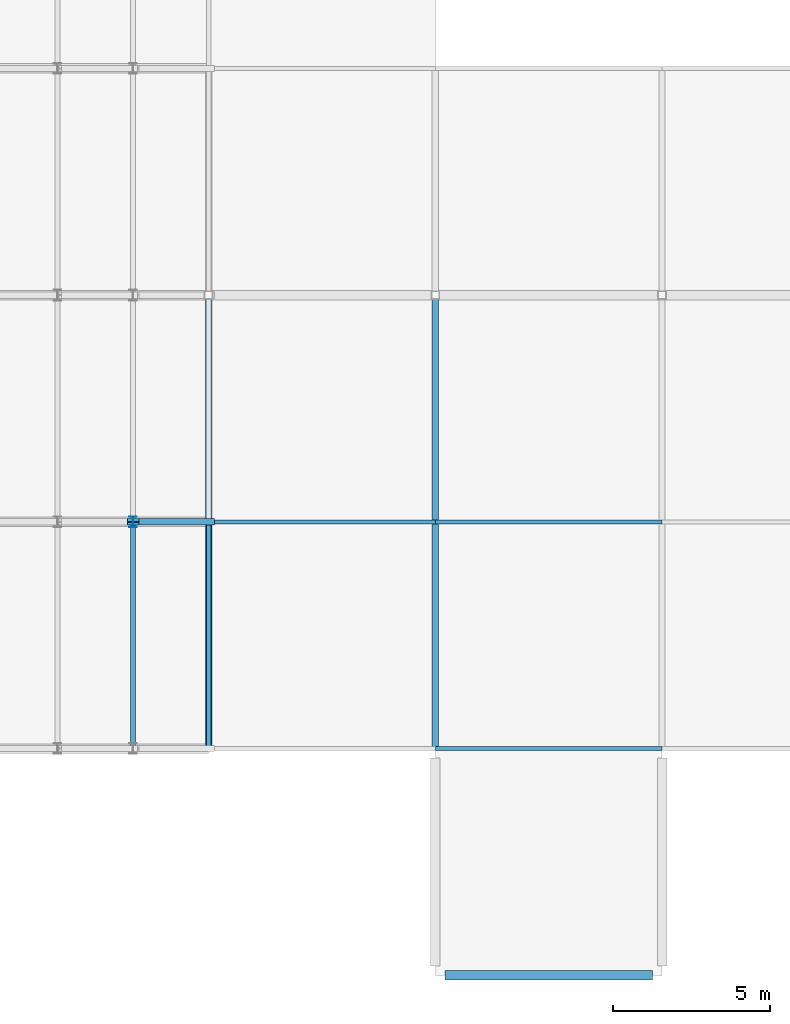
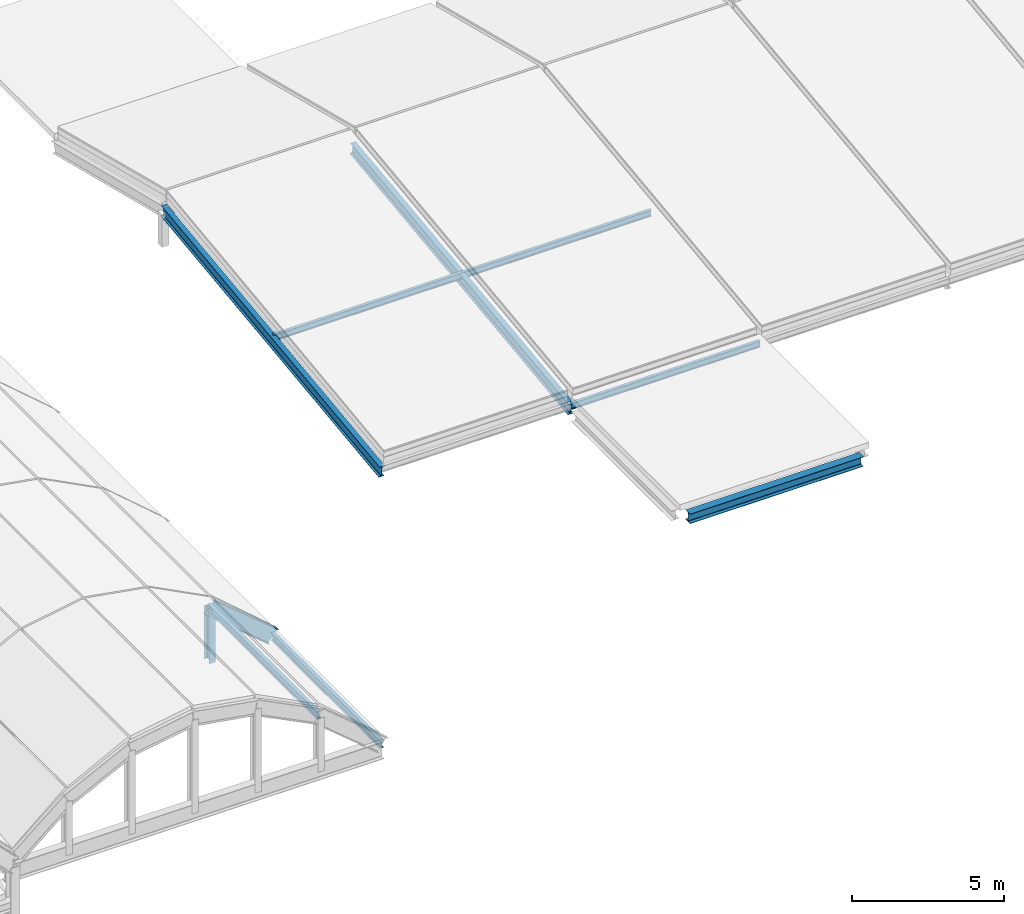
# One storey, part 15 of 60: 9 members, 1 beam.
"""IFC4 building model written with IfcOpenShell, lengths in metres."""

from ifc_helpers import new_model, si_unit, direction, frame, origin, origin_2d, place, context, subcontext, project, spatial, i_section, extrude, material, material_profile, profile_set, type_object, element, save


model = new_model("IFC4")

# Units and contexts
model_context = context("Model", 3, precision=1e-05, world=origin(), true_north=direction((0.0, 1.0)))
body_context = subcontext(model_context, "Body", "Model", "MODEL_VIEW")
ifc_project = project(units=[si_unit("LENGTHUNIT", "METRE"), si_unit("AREAUNIT", "SQUARE_METRE"), si_unit("VOLUMEUNIT", "CUBIC_METRE"), si_unit("PLANEANGLEUNIT", "RADIAN"), si_unit("MASSUNIT", "GRAM", prefix="KILO")], contexts=[model_context])

# Site, building, storey
site_placement = place(None, origin())
site = spatial("IfcSite", under=ifc_project, at=site_placement, CompositionType="ELEMENT")
building_placement = place(site_placement, origin())
building = spatial("IfcBuilding", under=site, at=building_placement, Name="Vesperath Aquatics Centre", CompositionType="ELEMENT")
storey_placement = place(building_placement, frame((0.0, 0.0, 27.60009765625)))
storey = spatial("IfcBuildingStorey", under=building, at=storey_placement, Name="RF", CompositionType="ELEMENT", Elevation=27.60009765625)

# Beam
ifc_material_1 = material(Name="Steel Q355C", Category="steel")
ifc_material_profile_1 = material_profile(ifc_material_1, i_section(OverallWidth=0.300048828125, OverallDepth=0.389892578125, WebThickness=0.010009765625, FlangeThickness=0.01611328125, FilletRadius=0.02197265625, at=origin_2d()), Name="HM 390x300x10x16")
ifc_profile_set_1 = profile_set([ifc_material_profile_1], Name="Steel Q355C")
beam_type = type_object("IfcBeamType", Name="BM-RB09", PredefinedType="BEAM", material=ifc_profile_set_1)
beam_placement = place(storey_placement, frame((122.699951171875, 0.0, -0.5), z_axis=(1.0, 0.0, 0.0), x_axis=(0.0, 1.0, 0.0)))
element("IfcBeam", 1, at=beam_placement, inside=storey, type_object=beam_type, Name="Core C5 Headhouse Roof Beam B11-S", PredefinedType="BEAM", context=body_context, shape_type="SweptSolid", body=[
    extrude(i_section(OverallWidth=0.300048828125, OverallDepth=0.389892578125, WebThickness=0.010009765625, FlangeThickness=0.01611328125, FilletRadius=0.02197265625, at=origin_2d()), origin(), (0.0, 0.0, 1.0), 6.60009765625),
])

# Members
ifc_material_2 = material(Name="Steel Q355D", Category="steel")
ifc_material_profile_2 = material_profile(ifc_material_2, i_section(OverallWidth=0.199951171875, OverallDepth=0.60009765625, WebThickness=0.010986328125, FlangeThickness=0.01708984375, FilletRadius=0.02197265625, at=origin_2d()), Name="HN 600x200x11x17")
ifc_profile_set_2 = profile_set([ifc_material_profile_2], Name="Steel Q355D")
member_type_1 = type_object("IfcMemberType", Name="MB-AR01", PredefinedType="RAFTER", material=ifc_profile_set_2)
member_1_placement = place(storey_placement, frame((112.800048828125, 14.39990234375, -9.400146484375), z_axis=(0.768208468069, 0.0, -0.640199773186), x_axis=(0.0, 1.0, 0.0)))
element("IfcMember", 2, at=member_1_placement, inside=storey, type_object=member_type_1, Name="Conservatory Vault Arch Rib AR01 C-6", PredefinedType="RAFTER", context=body_context, shape_type="SweptSolid", body=[
    extrude(i_section(OverallWidth=0.199951171875, OverallDepth=0.60009765625, WebThickness=0.010986328125, FlangeThickness=0.01708984375, FilletRadius=0.02197265625, at=origin_2d()), origin(), (0.0, 0.0, 1.0), 3.1240234375),
])
ifc_material_profile_3 = material_profile(ifc_material_2, i_section(OverallWidth=0.199951171875, OverallDepth=0.449951171875, WebThickness=0.009033203125, FlangeThickness=0.013916015625, FilletRadius=0.01611328125, at=origin_2d()), Name="HN 450x200x9x14")
ifc_profile_set_3 = profile_set([ifc_material_profile_3], Name="Steel Q355D")
member_type_2 = type_object("IfcMemberType", Name="MB-AR02", PredefinedType="RAFTER", material=ifc_profile_set_3)
for number, where, z_axis, x_axis, name in (
    (3, (115.199951171875, 7.199951171875, -0.420166015625), (0.0, 0.992277617894, 0.124036805126), (-1.0, 0.0, 0.0), "Boulevard Wing Roof Rafter AR02 South 17"),
    (4, (122.39990234375, 7.199951171875, -0.420166015625), (0.0, 0.992277617894, 0.124036805126), (-1.0, 0.0, 0.0), "Boulevard Wing Roof Rafter AR02 South 18"),
):
    element("IfcMember", number, at=place(storey_placement, frame(where, z_axis=z_axis, x_axis=x_axis)), inside=storey, type_object=member_type_2, Name=name, PredefinedType="RAFTER", context=body_context, shape_type="SweptSolid", body=[
        extrude(i_section(OverallWidth=0.199951171875, OverallDepth=0.449951171875, WebThickness=0.009033203125, FlangeThickness=0.013916015625, FilletRadius=0.01611328125, at=origin_2d()), origin(), (0.0, 0.0, 1.0), 14.51220703125),
    ])
ifc_material_profile_4 = material_profile(ifc_material_1, i_section(OverallWidth=0.14990234375, OverallDepth=0.300048828125, WebThickness=0.006591796875, FlangeThickness=0.009033203125, FilletRadius=0.012939453125, at=origin_2d()), Name="HN 300x150x6.5x9")
ifc_profile_set_4 = profile_set([ifc_material_profile_4], Name="Steel Q355C")
member_type_3 = type_object("IfcMemberType", Name="MB-PR02", PredefinedType="PURLIN", material=ifc_profile_set_4)
for number, where, z_axis, x_axis, name in (
    (5, (112.800048828125, 7.199951171875, -9.400146484375), (0.0, 1.0, 0.0), (-1.0, 0.0, 0.0), "Conservatory Vault Purlin PR02 B-6"),
    (6, (115.199951171875, 7.199951171875, -11.400146484375), (0.0, 1.0, 0.0), (-1.0, 0.0, 0.0), "Conservatory Vault Purlin PR02 B-7"),
):
    element("IfcMember", number, at=place(storey_placement, frame(where, z_axis=z_axis, x_axis=x_axis)), inside=storey, type_object=member_type_3, Name=name, PredefinedType="PURLIN", context=body_context, shape_type="SweptSolid", body=[
        extrude(i_section(OverallWidth=0.14990234375, OverallDepth=0.300048828125, WebThickness=0.006591796875, FlangeThickness=0.009033203125, FilletRadius=0.012939453125, at=origin_2d()), origin(), (0.0, 0.0, 1.0), 7.199951171875),
    ])
ifc_material_profile_5 = material_profile(ifc_material_1, i_section(OverallWidth=0.125, OverallDepth=0.25, WebThickness=0.006103515625, FlangeThickness=0.009033203125, FilletRadius=0.010009765625, at=origin_2d()), Name="HN 250x125x6x9")
ifc_profile_set_5 = profile_set([ifc_material_profile_5], Name="Steel Q355C")
member_type_4 = type_object("IfcMemberType", Name="MB-PR03", PredefinedType="PURLIN", material=ifc_profile_set_5)
member_2_placement = place(storey_placement, frame((115.199951171875, 14.39990234375, 0.60986328125), z_axis=(1.0, 0.0, 0.0), x_axis=(0.0, 1.0, 0.0)))
element("IfcMember", 7, at=member_2_placement, inside=storey, type_object=member_type_4, Name="Boulevard Wing Roof Purlin PR03 17-2", PredefinedType="PURLIN", context=body_context, shape_type="SweptSolid", body=[
    extrude(i_section(OverallWidth=0.125, OverallDepth=0.25, WebThickness=0.006103515625, FlangeThickness=0.009033203125, FilletRadius=0.010009765625, at=origin_2d()), origin(), (0.0, 0.0, 1.0), 7.199951171875),
])
for number, where, z_axis, x_axis, name in (
    (8, (122.39990234375, 7.199951171875, -0.2900390625), (1.0, 0.0, 0.0), (0.0, 1.0, 0.0), "Boulevard Wing Roof Purlin PR03 18-1"),
    (9, (122.39990234375, 14.39990234375, 0.60986328125), (1.0, 0.0, 0.0), (0.0, 1.0, 0.0), "Boulevard Wing Roof Purlin PR03 18-2"),
):
    element("IfcMember", number, at=place(storey_placement, frame(where, z_axis=z_axis, x_axis=x_axis)), inside=storey, type_object=member_type_4, Name=name, PredefinedType="PURLIN", context=body_context, shape_type="SweptSolid", body=[
        extrude(i_section(OverallWidth=0.125, OverallDepth=0.25, WebThickness=0.006103515625, FlangeThickness=0.009033203125, FilletRadius=0.010009765625, at=origin_2d()), origin(), (0.0, 0.0, 1.0), 7.2001953125),
    ])
ifc_material_profile_6 = material_profile(ifc_material_2, i_section(OverallWidth=0.25, OverallDepth=0.340087890625, WebThickness=0.009033203125, FlangeThickness=0.013916015625, FilletRadius=0.02001953125, at=origin_2d()), Name="HM 340x250x9x14")
ifc_profile_set_6 = profile_set([ifc_material_profile_6], Name="Steel Q355D")
member_type_5 = type_object("IfcMemberType", Name="MB-TP02", PredefinedType="POST", material=ifc_profile_set_6)
member_3_placement = place(storey_placement, frame((112.800048828125, 14.39990234375, -11.550048828125), z_axis=(0.0, 0.0, 1.0), x_axis=(1.0, 0.0, 0.0)))
element("IfcMember", 10, at=member_3_placement, inside=storey, type_object=member_type_5, Name="Conservatory Vault Post TP02 C-5", PredefinedType="POST", context=body_context, shape_type="SweptSolid", body=[
    extrude(i_section(OverallWidth=0.25, OverallDepth=0.340087890625, WebThickness=0.009033203125, FlangeThickness=0.013916015625, FilletRadius=0.02001953125, at=origin_2d()), origin(), (0.0, 0.0, 1.0), 2.14990234375),
])

save(model, "model.ifc")
